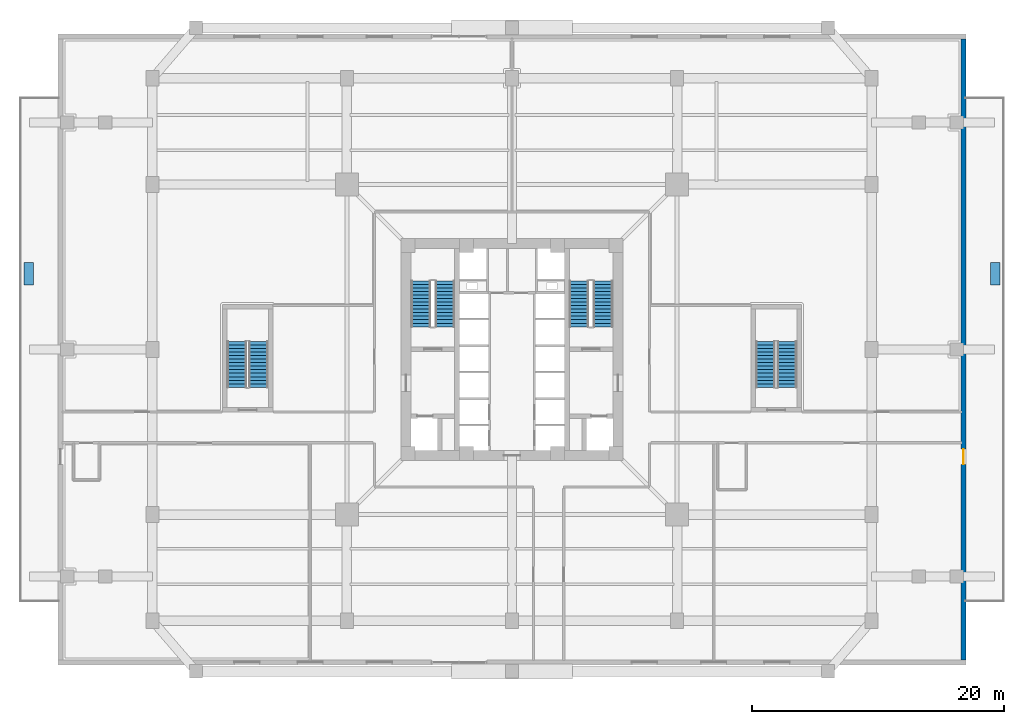
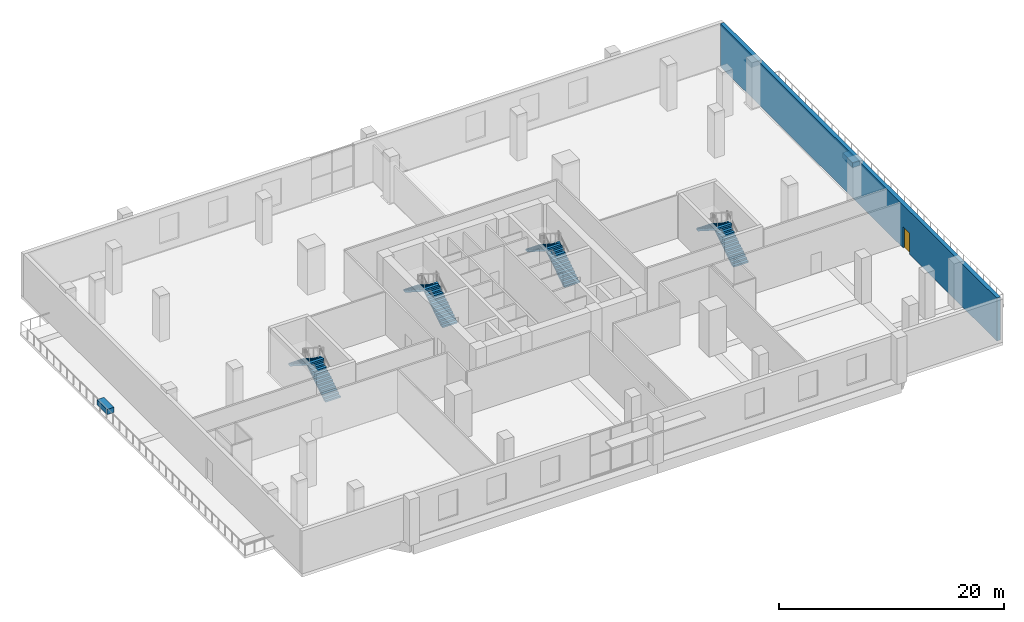
# One storey, part 9 of 15: 8 stair flights, 2 discrete accessories, 1 door, 1 wall, 1 opening, 4 elements without a shape of their own.
"""IFC4 building model written with IfcOpenShell, lengths in metres."""

from ifc_helpers import new_model, si_unit, direction, frame, frame_2d, origin, origin_2d, place, context, subcontext, project, spatial, polyline, rectangle, outline, extrude, source, transform, mapped, material, layer, layer_set, type_object, element, fill, aggregate, save


model = new_model("IFC4")

# Units and contexts
model_context = context("Model", 3, precision=1e-05, world=origin(), true_north=direction((0.0, 1.0)))
body_context = subcontext(model_context, "Body", "Model", "MODEL_VIEW")
ifc_project = project(units=[si_unit("LENGTHUNIT", "METRE"), si_unit("AREAUNIT", "SQUARE_METRE"), si_unit("VOLUMEUNIT", "CUBIC_METRE"), si_unit("PLANEANGLEUNIT", "RADIAN"), si_unit("MASSUNIT", "GRAM", prefix="KILO"), si_unit("THERMODYNAMICTEMPERATUREUNIT", "KELVIN")], contexts=[model_context])

# Site, building, storey
site_placement = place(None, origin())
site = spatial("IfcSite", under=ifc_project, at=site_placement, CompositionType="ELEMENT")
building_placement = place(site_placement, origin())
building = spatial("IfcBuilding", under=site, at=building_placement, Name="Kosmvard Interchange Tower", CompositionType="ELEMENT")
storey_placement = place(building_placement, frame((0.0, 0.0, 11.0)))
storey = spatial("IfcBuildingStorey", under=building, at=storey_placement, Name="L02", CompositionType="ELEMENT", Elevation=11.0)

# Wall, opening, door
ifc_material_1 = material(Name="Precast concrete C45/55", Category="concrete")
ifc_layer = layer(ifc_material_1, 0.39990234375, Name="Precast concrete C45/55")
ifc_layer_set = layer_set([ifc_layer], Name="Precast concrete C45/55")
wall_type = type_object("IfcWallType", Name="Podium Precast Stone Pier Wall 400 C45/55", PredefinedType="STANDARD", material=ifc_layer_set)
wall_placement = place(storey_placement, frame((35.800048828125, -24.60009765625, 0.0), z_axis=(0.0, 0.0, 1.0), x_axis=(0.0, 1.0, 0.0)))
wall = element("IfcWall", 1, at=wall_placement, inside=storey, type_object=wall_type, Name="L02 Podium Precast Wall EW-E", PredefinedType="STANDARD", context=body_context, shape_type="SweptSolid", body=[
    extrude(rectangle(XDim=49.2001953125, YDim=0.39990234375, at=frame_2d((24.60009765625, 0.0))), origin(), (0.0, 0.0, 1.0), 4.659912109375),
])
opening_placement = place(wall_placement, frame((15.5, 0.0, 0.0)))
opening = element("IfcOpeningElement", 2, at=opening_placement, cuts=wall, Name="Opening L02-TDE", PredefinedType="OPENING", context=body_context, shape_type="SweptSolid", body=[
    extrude(rectangle(XDim=1.199951171875, YDim=2.300048828125, at=frame_2d((0.60009765625, 1.14990234375))), frame((0.0, 0.2099609375, 0.0), z_axis=(0.0, -1.0, 0.0), x_axis=(1.0, 0.0, 0.0)), (0.0, 0.0, 1.0), 0.419921875),
])
ifc_material_2 = material(Name="Anodised aluminium and safety glass", Category="aluminium")
door_type = type_object("IfcDoorType", Name="Cascade Terrace Glazed Door 1200x2300", OperationType="NOTDEFINED", PredefinedType="DOOR", material=ifc_material_2)
shared_shape_1 = source(origin(), body_context, "Body", "SweptSolid", [
    extrude(rectangle(XDim=1.199951171875, YDim=2.300048828125, at=frame_2d((0.60009765625, 1.14990234375))), frame((0.0, 0.02490234375, 0.0), z_axis=(0.0, -1.0, 0.0), x_axis=(1.0, 0.0, 0.0)), (0.0, 0.0, 1.0), 0.050048828125),
])
door_placement = place(opening_placement, origin())
door = element("IfcDoor", 3, at=door_placement, inside=storey, type_object=door_type, Name="L02 East Cascading Terrace Door", OperationType="SINGLE_SWING_RIGHT", OverallHeight=2.300048828125, OverallWidth=1.199951171875, PredefinedType="DOOR", context=body_context, shape_type="MappedRepresentation", body=[
    mapped(shared_shape_1, transform((0.0, 0.0, 0.0), scale=1.0)),
])
fill(opening, door)

# Stair, stair flights
ifc_material_3 = material(Name="Concrete C50/60", Category="concrete")
stair_type = type_object("IfcStairType", Name="Dog-Leg Core Exit Stair H5000 C50/60", PredefinedType="HALF_TURN_STAIR", material=ifc_material_3)
stair_1_placement = place(storey_placement, origin())
stair_1 = element("IfcStair", 4, at=stair_1_placement, inside=storey, type_object=stair_type, Name="L02 Protected Exit Stair ST-1", PredefinedType="HALF_TURN_STAIR")
stair_flight_type = type_object("IfcStairFlightType", Name="Core Stair Flight W1550 H5000 C50/60", PredefinedType="STRAIGHT", material=ifc_material_3)
shared_shape_2 = source(origin(), body_context, "Body", "SweptSolid", [
    extrude(outline(polyline([(0.0, 0.0), (0.0, 0.178466796875), (0.280029296875, 0.178466796875), (0.280029296875, 0.357177734375), (0.56005859375, 0.357177734375), (0.56005859375, 0.53564453125), (0.840087890625, 0.53564453125), (0.840087890625, 0.71435546875), (1.1201171875, 0.71435546875), (1.1201171875, 0.892822265625), (1.39990234375, 0.892822265625), (1.39990234375, 1.071533203125), (1.679931640625, 1.071533203125), (1.679931640625, 1.25), (1.9599609375, 1.25), (1.9599609375, 1.428466796875), (2.239990234375, 1.428466796875), (2.239990234375, 1.607177734375), (2.52001953125, 1.607177734375), (2.52001953125, 1.78564453125), (2.800048828125, 1.78564453125), (2.800048828125, 1.96435546875), (3.080078125, 1.96435546875), (3.080078125, 2.142822265625), (3.360107421875, 2.142822265625), (3.360107421875, 2.321533203125), (3.639892578125, 2.321533203125), (3.639892578125, 2.5), (3.639892578125, 2.1318359375), (0.29736328125, 0.0), (0.0, 0.0)])), frame((0.0, 0.77490234375, 0.0), z_axis=(0.0, -1.0, 0.0), x_axis=(1.0, 0.0, 0.0)), (0.0, 0.0, 1.0), 1.550048828125),
])
stair_flight_1_placement = place(storey_placement, frame((-5.31494140625, 1.800048828125, 0.0), z_axis=(0.0, 0.0, 1.0), x_axis=(0.0, 1.0, 0.0)))
stair_flight_1 = element("IfcStairFlight", 5, at=stair_flight_1_placement, type_object=stair_flight_type, Name="ST-1 flight 1", NumberOfRisers=14, NumberOfTreads=13, PredefinedType="STRAIGHT", RiserHeight=0.178571429, TreadLength=0.28, context=body_context, shape_type="MappedRepresentation", body=[
    mapped(shared_shape_2, transform((0.0, 0.0, 0.0), scale=1.0)),
])
stair_flight_2_placement = place(storey_placement, frame((-7.22509765625, 5.43994140625, 2.5), z_axis=(0.0, 0.0, 1.0), x_axis=(0.0, -1.0, 0.0)))
stair_flight_2 = element("IfcStairFlight", 6, at=stair_flight_2_placement, type_object=stair_flight_type, Name="ST-1 flight 2", NumberOfRisers=14, NumberOfTreads=13, PredefinedType="STRAIGHT", RiserHeight=0.178571429, TreadLength=0.28, context=body_context, shape_type="MappedRepresentation", body=[
    mapped(shared_shape_2, transform((0.0, 0.0, 0.0), scale=1.0)),
])
aggregate(stair_1, [stair_flight_1, stair_flight_2])

stair_2_placement = place(storey_placement, origin())
stair_2 = element("IfcStair", 7, at=stair_2_placement, inside=storey, type_object=stair_type, Name="L02 Protected Exit Stair ST-2", PredefinedType="HALF_TURN_STAIR")
stair_flight_3_placement = place(storey_placement, frame((7.22509765625, 1.800048828125, 0.0), z_axis=(0.0, 0.0, 1.0), x_axis=(0.0, 1.0, 0.0)))
stair_flight_3 = element("IfcStairFlight", 8, at=stair_flight_3_placement, type_object=stair_flight_type, Name="ST-2 flight 1", NumberOfRisers=14, NumberOfTreads=13, PredefinedType="STRAIGHT", RiserHeight=0.178571429, TreadLength=0.28, context=body_context, shape_type="MappedRepresentation", body=[
    mapped(shared_shape_2, transform((0.0, 0.0, 0.0), scale=1.0)),
])
stair_flight_4_placement = place(storey_placement, frame((5.31494140625, 5.43994140625, 2.5), z_axis=(0.0, 0.0, 1.0), x_axis=(0.0, -1.0, 0.0)))
stair_flight_4 = element("IfcStairFlight", 9, at=stair_flight_4_placement, type_object=stair_flight_type, Name="ST-2 flight 2", NumberOfRisers=14, NumberOfTreads=13, PredefinedType="STRAIGHT", RiserHeight=0.178571429, TreadLength=0.28, context=body_context, shape_type="MappedRepresentation", body=[
    mapped(shared_shape_2, transform((0.0, 0.0, 0.0), scale=1.0)),
])
aggregate(stair_2, [stair_flight_3, stair_flight_4])

stair_3_placement = place(storey_placement, origin())
stair_3 = element("IfcStair", 10, at=stair_3_placement, inside=storey, type_object=stair_type, Name="L02 Podium Concourse Stair ST-3", PredefinedType="HALF_TURN_STAIR")
stair_flight_5_placement = place(storey_placement, frame((-20.094970703125, -3.0, 0.0), z_axis=(0.0, 0.0, 1.0), x_axis=(0.0, 1.0, 0.0)))
stair_flight_5 = element("IfcStairFlight", 11, at=stair_flight_5_placement, type_object=stair_flight_type, Name="ST-3 flight 1", NumberOfRisers=14, NumberOfTreads=13, PredefinedType="STRAIGHT", RiserHeight=0.178571429, TreadLength=0.28, context=body_context, shape_type="MappedRepresentation", body=[
    mapped(shared_shape_2, transform((0.0, 0.0, 0.0), scale=1.0)),
])
stair_flight_6_placement = place(storey_placement, frame((-21.804931640625, 0.639892578125, 2.5), z_axis=(0.0, 0.0, 1.0), x_axis=(0.0, -1.0, 0.0)))
stair_flight_6 = element("IfcStairFlight", 12, at=stair_flight_6_placement, type_object=stair_flight_type, Name="ST-3 flight 2", NumberOfRisers=14, NumberOfTreads=13, PredefinedType="STRAIGHT", RiserHeight=0.178571429, TreadLength=0.28, context=body_context, shape_type="MappedRepresentation", body=[
    mapped(shared_shape_2, transform((0.0, 0.0, 0.0), scale=1.0)),
])
aggregate(stair_3, [stair_flight_5, stair_flight_6])

stair_4_placement = place(storey_placement, origin())
stair_4 = element("IfcStair", 13, at=stair_4_placement, inside=storey, type_object=stair_type, Name="L02 Podium Concourse Stair ST-4", PredefinedType="HALF_TURN_STAIR")
stair_flight_7_placement = place(storey_placement, frame((21.804931640625, -3.0, 0.0), z_axis=(0.0, 0.0, 1.0), x_axis=(0.0, 1.0, 0.0)))
stair_flight_7 = element("IfcStairFlight", 14, at=stair_flight_7_placement, type_object=stair_flight_type, Name="ST-4 flight 1", NumberOfRisers=14, NumberOfTreads=13, PredefinedType="STRAIGHT", RiserHeight=0.178571429, TreadLength=0.28, context=body_context, shape_type="MappedRepresentation", body=[
    mapped(shared_shape_2, transform((0.0, 0.0, 0.0), scale=1.0)),
])
stair_flight_8_placement = place(storey_placement, frame((20.094970703125, 0.639892578125, 2.5), z_axis=(0.0, 0.0, 1.0), x_axis=(0.0, -1.0, 0.0)))
stair_flight_8 = element("IfcStairFlight", 15, at=stair_flight_8_placement, type_object=stair_flight_type, Name="ST-4 flight 2", NumberOfRisers=14, NumberOfTreads=13, PredefinedType="STRAIGHT", RiserHeight=0.178571429, TreadLength=0.28, context=body_context, shape_type="MappedRepresentation", body=[
    mapped(shared_shape_2, transform((0.0, 0.0, 0.0), scale=1.0)),
])
aggregate(stair_4, [stair_flight_7, stair_flight_8])

# Discrete accessories
ifc_material_4 = material(Name="Terracotta precast planter concrete C45/55", Category="masonry")
discrete_accessory_type = type_object("IfcDiscreteAccessoryType", Name="Precast Tree-Balcony & Terrace Planter Box", PredefinedType="USERDEFINED", material=ifc_material_4)
shared_shape_3 = source(origin(), body_context, "Body", "SweptSolid", [
    extrude(rectangle(XDim=0.75, YDim=1.800048828125, at=origin_2d()), origin(), (0.0, 0.0, 1.0), 0.550048828125),
])
for number, where, z_axis, x_axis, name in (
    (16, (-38.300048828125, 6.0, 0.0), (0.0, 0.0, 1.0), (1.0, 0.0, 0.0), "L02 Cascading Terrace Tree Planter TER-L02-W"),
    (17, (38.300048828125, 6.0, 0.0), (0.0, 0.0, 1.0), (1.0, 0.0, 0.0), "L02 Cascading Terrace Tree Planter TER-L02-E"),
):
    element("IfcDiscreteAccessory", number, at=place(storey_placement, frame(where, z_axis=z_axis, x_axis=x_axis)), inside=storey, type_object=discrete_accessory_type, Name=name, ObjectType="PLANTER", PredefinedType="USERDEFINED", context=body_context, shape_type="MappedRepresentation", body=[
        mapped(shared_shape_3, transform((0.0, 0.0, 0.0), scale=1.0)),
    ])

save(model, "model.ifc")
